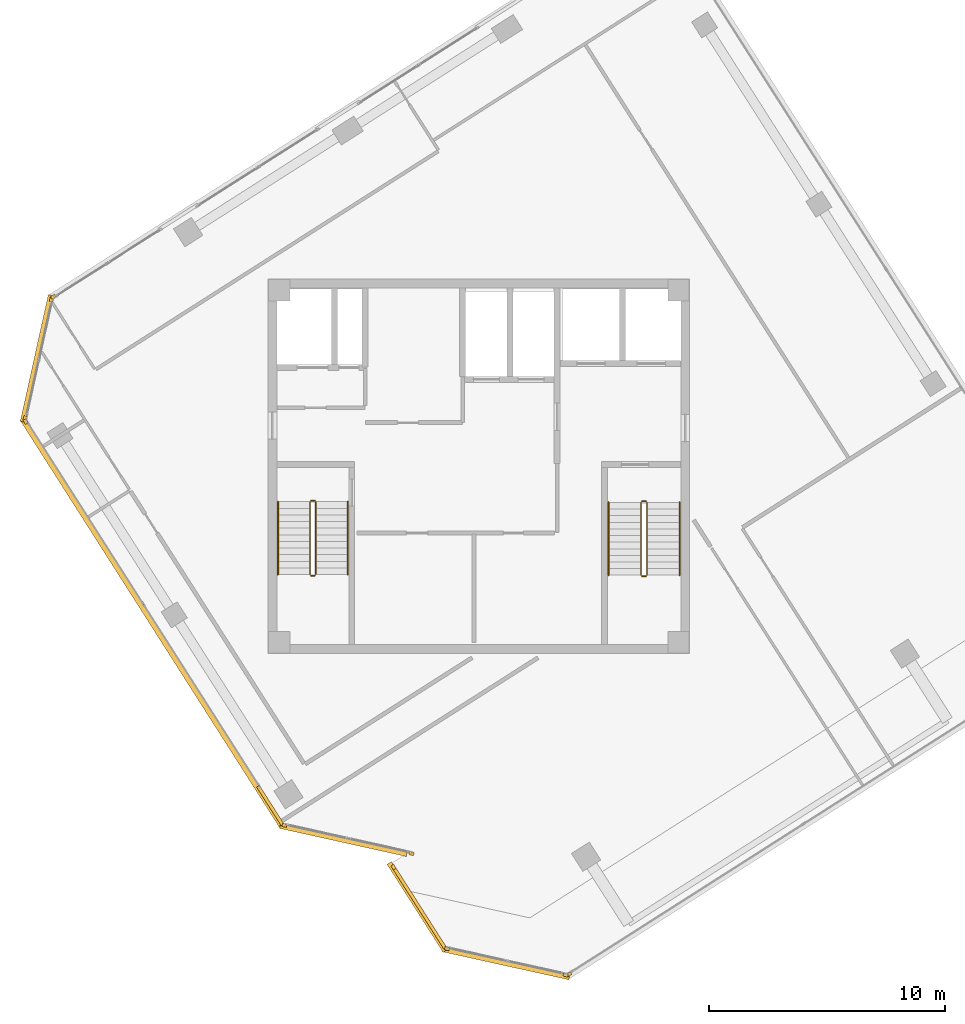
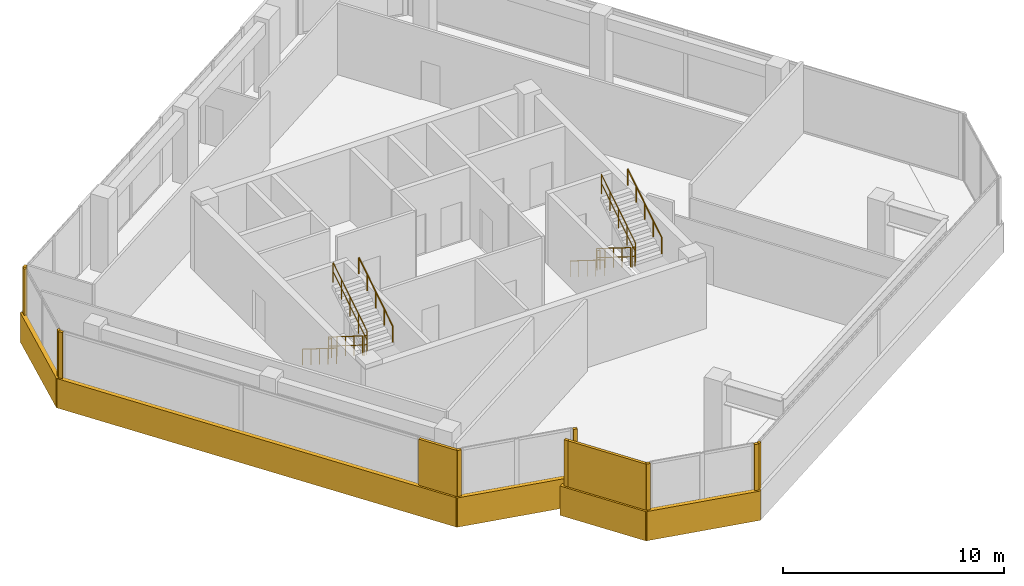
# One storey, part 13 of 15: 17 coverings, 12 railings.
"""IFC4 building model written with IfcOpenShell, lengths in metres."""

from ifc_helpers import new_model, si_unit, direction, frame, origin, origin_2d, place, context, subcontext, project, spatial, rectangle, circle, extrude, source, transform, mapped, material, layer, layer_set, type_object, element, save


model = new_model("IFC4")

# Units and contexts
model_context = context("Model", 3, precision=1e-05, world=origin(), true_north=direction((0.0, 1.0)))
body_context = subcontext(model_context, "Body", "Model", "MODEL_VIEW")
ifc_project = project(units=[si_unit("LENGTHUNIT", "METRE"), si_unit("AREAUNIT", "SQUARE_METRE"), si_unit("VOLUMEUNIT", "CUBIC_METRE"), si_unit("PLANEANGLEUNIT", "RADIAN"), si_unit("MASSUNIT", "GRAM", prefix="KILO")], contexts=[model_context])

# Site, building, storey
site_placement = place(None, origin())
site = spatial("IfcSite", under=ifc_project, at=site_placement, CompositionType="ELEMENT")
building_placement = place(site_placement, origin())
building = spatial("IfcBuilding", under=site, at=building_placement, Name="Torre Montelarca", CompositionType="ELEMENT")
storey_placement = place(building_placement, frame((0.0, 0.0, 311.39990234375)))
storey = spatial("IfcBuildingStorey", under=building, at=storey_placement, Name="L70", CompositionType="ELEMENT", Elevation=311.39990234375)

# Railings
ifc_material_1 = material(Name="Powder-coated steel ASTM A500 Grade C", Category="steel")
railing_type_1 = type_object("IfcRailingType", Name="RL-GUARD-1100", PredefinedType="BALUSTRADE", material=ifc_material_1)
railing_1_placement = place(storey_placement, frame((10.85009765625, 30.5, 0.175048828125)))
element("IfcRailing", 1, at=railing_1_placement, inside=storey, type_object=railing_type_1, Name="L70 ST1 stair guard 1", PredefinedType="BALUSTRADE", context=body_context, shape_type="SweptSolid", body=[
    extrude(circle(Radius=0.02392578125, at=origin_2d()), frame((0.0, 0.0, 1.076171875), z_axis=(0.0, -0.847998304005, 0.529998940003), x_axis=(1.0, 0.0, 0.0)), (0.0, 0.0, 1.0), 3.632080078125),
    extrude(circle(Radius=0.02099609375, at=origin_2d()), frame((0.0, 0.0, 0.572021484375), z_axis=(0.0, -0.847998304005, 0.529998940003), x_axis=(1.0, 0.0, 0.0)), (0.0, 0.0, 1.0), 3.632080078125),
    extrude(circle(Radius=0.02099609375, at=origin_2d()), origin(), (0.0, 0.0, 1.0), 1.052001953125),
    extrude(circle(Radius=0.02099609375, at=origin_2d()), frame((0.0, -0.77001953125, 0.481201171875)), (0.0, 0.0, 1.0), 1.052001953125),
    extrude(circle(Radius=0.02099609375, at=origin_2d()), frame((0.0, -1.5400390625, 0.96240234375)), (0.0, 0.0, 1.0), 1.052001953125),
    extrude(circle(Radius=0.02099609375, at=origin_2d()), frame((0.0, -2.31005859375, 1.44384765625)), (0.0, 0.0, 1.0), 1.052001953125),
    extrude(circle(Radius=0.02099609375, at=origin_2d()), frame((0.0, -3.080078125, 1.925048828125)), (0.0, 0.0, 1.0), 1.052001953125),
])
railing_2_placement = place(storey_placement, frame((10.89990234375, 27.3701171875, 2.10009765625)))
element("IfcRailing", 2, at=railing_2_placement, inside=storey, type_object=railing_type_1, Name="L70 ST1 stair guard 2", PredefinedType="BALUSTRADE", context=body_context, shape_type="SweptSolid", body=[
    extrude(circle(Radius=0.02392578125, at=origin_2d()), frame((0.0, 0.0, 1.076171875), z_axis=(1.0, 0.0, 0.0), x_axis=(0.0, 1.0, 0.0)), (0.0, 0.0, 1.0), 0.150146484375),
    extrude(circle(Radius=0.02099609375, at=origin_2d()), frame((0.0, 0.0, 0.572021484375), z_axis=(1.0, 0.0, 0.0), x_axis=(0.0, 1.0, 0.0)), (0.0, 0.0, 1.0), 0.150146484375),
    extrude(circle(Radius=0.02099609375, at=origin_2d()), origin(), (0.0, 0.0, 1.0), 1.052001953125),
    extrude(circle(Radius=0.02099609375, at=origin_2d()), frame((0.150146484375, 0.0, 0.0)), (0.0, 0.0, 1.0), 1.052001953125),
])
railing_3_placement = place(storey_placement, frame((11.10009765625, 27.419921875, 2.275146484375)))
element("IfcRailing", 3, at=railing_3_placement, inside=storey, type_object=railing_type_1, Name="L70 ST1 stair guard 3", PredefinedType="BALUSTRADE", context=body_context, shape_type="SweptSolid", body=[
    extrude(circle(Radius=0.02392578125, at=origin_2d()), frame((0.0, 0.0, 1.076171875), z_axis=(0.0, 0.847998304005, 0.529998940003), x_axis=(-1.0, 0.0, 0.0)), (0.0, 0.0, 1.0), 3.632080078125),
    extrude(circle(Radius=0.02099609375, at=origin_2d()), frame((0.0, 0.0, 0.572021484375), z_axis=(0.0, 0.847998304005, 0.529998940003), x_axis=(-1.0, 0.0, 0.0)), (0.0, 0.0, 1.0), 3.632080078125),
    extrude(circle(Radius=0.02099609375, at=origin_2d()), origin(), (0.0, 0.0, 1.0), 1.052001953125),
    extrude(circle(Radius=0.02099609375, at=origin_2d()), frame((0.0, 0.77001953125, 0.481201171875)), (0.0, 0.0, 1.0), 1.052001953125),
    extrude(circle(Radius=0.02099609375, at=origin_2d()), frame((0.0, 1.5400390625, 0.96240234375)), (0.0, 0.0, 1.0), 1.052001953125),
    extrude(circle(Radius=0.02099609375, at=origin_2d()), frame((0.0, 2.31005859375, 1.44384765625)), (0.0, 0.0, 1.0), 1.052001953125),
    extrude(circle(Radius=0.02099609375, at=origin_2d()), frame((0.0, 3.080078125, 1.925048828125)), (0.0, 0.0, 1.0), 1.052001953125),
])
railing_4_placement = place(storey_placement, frame((10.89990234375, 30.550048828125, 0.0)))
element("IfcRailing", 4, at=railing_4_placement, inside=storey, type_object=railing_type_1, Name="L70 ST1 stair guard 4", PredefinedType="BALUSTRADE", context=body_context, shape_type="SweptSolid", body=[
    extrude(circle(Radius=0.02392578125, at=origin_2d()), frame((0.0, 0.0, 1.076171875), z_axis=(1.0, 0.0, 0.0), x_axis=(0.0, 1.0, 0.0)), (0.0, 0.0, 1.0), 0.150146484375),
    extrude(circle(Radius=0.02099609375, at=origin_2d()), frame((0.0, 0.0, 0.572021484375), z_axis=(1.0, 0.0, 0.0), x_axis=(0.0, 1.0, 0.0)), (0.0, 0.0, 1.0), 0.150146484375),
    extrude(circle(Radius=0.02099609375, at=origin_2d()), origin(), (0.0, 0.0, 1.0), 1.052001953125),
    extrude(circle(Radius=0.02099609375, at=origin_2d()), frame((0.150146484375, 0.0, 0.0)), (0.0, 0.0, 1.0), 1.052001953125),
])
railing_5_placement = place(storey_placement, frame((24.8701171875, 30.469970703125, 0.175048828125)))
element("IfcRailing", 5, at=railing_5_placement, inside=storey, type_object=railing_type_1, Name="L70 ST2 stair guard 1", PredefinedType="BALUSTRADE", context=body_context, shape_type="SweptSolid", body=[
    extrude(circle(Radius=0.02392578125, at=origin_2d()), frame((0.0, 0.0, 1.076171875), z_axis=(0.0, -0.847998304005, 0.529998940003), x_axis=(1.0, 0.0, 0.0)), (0.0, 0.0, 1.0), 3.632080078125),
    extrude(circle(Radius=0.02099609375, at=origin_2d()), frame((0.0, 0.0, 0.572021484375), z_axis=(0.0, -0.847998304005, 0.529998940003), x_axis=(1.0, 0.0, 0.0)), (0.0, 0.0, 1.0), 3.632080078125),
    extrude(circle(Radius=0.02099609375, at=origin_2d()), origin(), (0.0, 0.0, 1.0), 1.052001953125),
    extrude(circle(Radius=0.02099609375, at=origin_2d()), frame((0.0, -0.77001953125, 0.481201171875)), (0.0, 0.0, 1.0), 1.052001953125),
    extrude(circle(Radius=0.02099609375, at=origin_2d()), frame((0.0, -1.5400390625, 0.96240234375)), (0.0, 0.0, 1.0), 1.052001953125),
    extrude(circle(Radius=0.02099609375, at=origin_2d()), frame((0.0, -2.31005859375, 1.44384765625)), (0.0, 0.0, 1.0), 1.052001953125),
    extrude(circle(Radius=0.02099609375, at=origin_2d()), frame((0.0, -3.080078125, 1.925048828125)), (0.0, 0.0, 1.0), 1.052001953125),
])
railing_6_placement = place(storey_placement, frame((24.919921875, 27.340087890625, 2.10009765625)))
element("IfcRailing", 6, at=railing_6_placement, inside=storey, type_object=railing_type_1, Name="L70 ST2 stair guard 2", PredefinedType="BALUSTRADE", context=body_context, shape_type="SweptSolid", body=[
    extrude(circle(Radius=0.02392578125, at=origin_2d()), frame((0.0, 0.0, 1.076171875), z_axis=(1.0, 0.0, 0.0), x_axis=(0.0, 1.0, 0.0)), (0.0, 0.0, 1.0), 0.150146484375),
    extrude(circle(Radius=0.02099609375, at=origin_2d()), frame((0.0, 0.0, 0.572021484375), z_axis=(1.0, 0.0, 0.0), x_axis=(0.0, 1.0, 0.0)), (0.0, 0.0, 1.0), 0.150146484375),
    extrude(circle(Radius=0.02099609375, at=origin_2d()), origin(), (0.0, 0.0, 1.0), 1.052001953125),
    extrude(circle(Radius=0.02099609375, at=origin_2d()), frame((0.150146484375, 0.0, 0.0)), (0.0, 0.0, 1.0), 1.052001953125),
])
railing_7_placement = place(storey_placement, frame((25.1201171875, 27.389892578125, 2.275146484375)))
element("IfcRailing", 7, at=railing_7_placement, inside=storey, type_object=railing_type_1, Name="L70 ST2 stair guard 3", PredefinedType="BALUSTRADE", context=body_context, shape_type="SweptSolid", body=[
    extrude(circle(Radius=0.02392578125, at=origin_2d()), frame((0.0, 0.0, 1.076171875), z_axis=(0.0, 0.847998304005, 0.529998940003), x_axis=(-1.0, 0.0, 0.0)), (0.0, 0.0, 1.0), 3.632080078125),
    extrude(circle(Radius=0.02099609375, at=origin_2d()), frame((0.0, 0.0, 0.572021484375), z_axis=(0.0, 0.847998304005, 0.529998940003), x_axis=(-1.0, 0.0, 0.0)), (0.0, 0.0, 1.0), 3.632080078125),
    extrude(circle(Radius=0.02099609375, at=origin_2d()), origin(), (0.0, 0.0, 1.0), 1.052001953125),
    extrude(circle(Radius=0.02099609375, at=origin_2d()), frame((0.0, 0.77001953125, 0.481201171875)), (0.0, 0.0, 1.0), 1.052001953125),
    extrude(circle(Radius=0.02099609375, at=origin_2d()), frame((0.0, 1.5400390625, 0.96240234375)), (0.0, 0.0, 1.0), 1.052001953125),
    extrude(circle(Radius=0.02099609375, at=origin_2d()), frame((0.0, 2.31005859375, 1.44384765625)), (0.0, 0.0, 1.0), 1.052001953125),
    extrude(circle(Radius=0.02099609375, at=origin_2d()), frame((0.0, 3.080078125, 1.925048828125)), (0.0, 0.0, 1.0), 1.052001953125),
])
railing_8_placement = place(storey_placement, frame((24.919921875, 30.52001953125, 0.0)))
element("IfcRailing", 8, at=railing_8_placement, inside=storey, type_object=railing_type_1, Name="L70 ST2 stair guard 4", PredefinedType="BALUSTRADE", context=body_context, shape_type="SweptSolid", body=[
    extrude(circle(Radius=0.02392578125, at=origin_2d()), frame((0.0, 0.0, 1.076171875), z_axis=(1.0, 0.0, 0.0), x_axis=(0.0, 1.0, 0.0)), (0.0, 0.0, 1.0), 0.150146484375),
    extrude(circle(Radius=0.02099609375, at=origin_2d()), frame((0.0, 0.0, 0.572021484375), z_axis=(1.0, 0.0, 0.0), x_axis=(0.0, 1.0, 0.0)), (0.0, 0.0, 1.0), 0.150146484375),
    extrude(circle(Radius=0.02099609375, at=origin_2d()), origin(), (0.0, 0.0, 1.0), 1.052001953125),
    extrude(circle(Radius=0.02099609375, at=origin_2d()), frame((0.150146484375, 0.0, 0.0)), (0.0, 0.0, 1.0), 1.052001953125),
])
ifc_material_2 = material(Name="Brushed stainless steel AISI 316", Category="steel")
railing_type_2 = type_object("IfcRailingType", Name="RL-HANDRAIL-900", PredefinedType="HANDRAIL", material=ifc_material_2)
railing_9_placement = place(storey_placement, frame((9.5, 30.5, 0.175048828125)))
element("IfcRailing", 9, at=railing_9_placement, inside=storey, type_object=railing_type_2, Name="L70 ST1 stair handrail 1", PredefinedType="HANDRAIL", context=body_context, shape_type="SweptSolid", body=[
    extrude(circle(Radius=0.02392578125, at=origin_2d()), frame((0.0, 0.0, 0.8759765625), z_axis=(0.0, -0.847998304005, 0.529998940003), x_axis=(1.0, 0.0, 0.0)), (0.0, 0.0, 1.0), 3.632080078125),
    extrude(circle(Radius=0.02099609375, at=origin_2d()), origin(), (0.0, 0.0, 1.0), 0.851806640625),
    extrude(circle(Radius=0.02099609375, at=origin_2d()), frame((0.0, -0.77001953125, 0.481201171875)), (0.0, 0.0, 1.0), 0.851806640625),
    extrude(circle(Radius=0.02099609375, at=origin_2d()), frame((0.0, -1.5400390625, 0.96240234375)), (0.0, 0.0, 1.0), 0.851806640625),
    extrude(circle(Radius=0.02099609375, at=origin_2d()), frame((0.0, -2.31005859375, 1.44384765625)), (0.0, 0.0, 1.0), 0.851806640625),
    extrude(circle(Radius=0.02099609375, at=origin_2d()), frame((0.0, -3.080078125, 1.925048828125)), (0.0, 0.0, 1.0), 0.851806640625),
])
railing_10_placement = place(storey_placement, frame((12.449951171875, 27.419921875, 2.275146484375)))
element("IfcRailing", 10, at=railing_10_placement, inside=storey, type_object=railing_type_2, Name="L70 ST1 stair handrail 2", PredefinedType="HANDRAIL", context=body_context, shape_type="SweptSolid", body=[
    extrude(circle(Radius=0.02392578125, at=origin_2d()), frame((0.0, 0.0, 0.8759765625), z_axis=(0.0, 0.847998304005, 0.529998940003), x_axis=(-1.0, 0.0, 0.0)), (0.0, 0.0, 1.0), 3.632080078125),
    extrude(circle(Radius=0.02099609375, at=origin_2d()), origin(), (0.0, 0.0, 1.0), 0.851806640625),
    extrude(circle(Radius=0.02099609375, at=origin_2d()), frame((0.0, 0.77001953125, 0.481201171875)), (0.0, 0.0, 1.0), 0.851806640625),
    extrude(circle(Radius=0.02099609375, at=origin_2d()), frame((0.0, 1.5400390625, 0.96240234375)), (0.0, 0.0, 1.0), 0.851806640625),
    extrude(circle(Radius=0.02099609375, at=origin_2d()), frame((0.0, 2.31005859375, 1.44384765625)), (0.0, 0.0, 1.0), 0.851806640625),
    extrude(circle(Radius=0.02099609375, at=origin_2d()), frame((0.0, 3.080078125, 1.925048828125)), (0.0, 0.0, 1.0), 0.851806640625),
])
railing_11_placement = place(storey_placement, frame((23.489990234375, 30.469970703125, 0.175048828125)))
element("IfcRailing", 11, at=railing_11_placement, inside=storey, type_object=railing_type_2, Name="L70 ST2 stair handrail 1", PredefinedType="HANDRAIL", context=body_context, shape_type="SweptSolid", body=[
    extrude(circle(Radius=0.02392578125, at=origin_2d()), frame((0.0, 0.0, 0.8759765625), z_axis=(0.0, -0.847998304005, 0.529998940003), x_axis=(1.0, 0.0, 0.0)), (0.0, 0.0, 1.0), 3.632080078125),
    extrude(circle(Radius=0.02099609375, at=origin_2d()), origin(), (0.0, 0.0, 1.0), 0.851806640625),
    extrude(circle(Radius=0.02099609375, at=origin_2d()), frame((0.0, -0.77001953125, 0.481201171875)), (0.0, 0.0, 1.0), 0.851806640625),
    extrude(circle(Radius=0.02099609375, at=origin_2d()), frame((0.0, -1.5400390625, 0.96240234375)), (0.0, 0.0, 1.0), 0.851806640625),
    extrude(circle(Radius=0.02099609375, at=origin_2d()), frame((0.0, -2.31005859375, 1.44384765625)), (0.0, 0.0, 1.0), 0.851806640625),
    extrude(circle(Radius=0.02099609375, at=origin_2d()), frame((0.0, -3.080078125, 1.925048828125)), (0.0, 0.0, 1.0), 0.851806640625),
])
railing_12_placement = place(storey_placement, frame((26.5, 27.389892578125, 2.275146484375)))
element("IfcRailing", 12, at=railing_12_placement, inside=storey, type_object=railing_type_2, Name="L70 ST2 stair handrail 2", PredefinedType="HANDRAIL", context=body_context, shape_type="SweptSolid", body=[
    extrude(circle(Radius=0.02392578125, at=origin_2d()), frame((0.0, 0.0, 0.8759765625), z_axis=(0.0, 0.847998304005, 0.529998940003), x_axis=(-1.0, 0.0, 0.0)), (0.0, 0.0, 1.0), 3.632080078125),
    extrude(circle(Radius=0.02099609375, at=origin_2d()), origin(), (0.0, 0.0, 1.0), 0.851806640625),
    extrude(circle(Radius=0.02099609375, at=origin_2d()), frame((0.0, 0.77001953125, 0.481201171875)), (0.0, 0.0, 1.0), 0.851806640625),
    extrude(circle(Radius=0.02099609375, at=origin_2d()), frame((0.0, 1.5400390625, 0.96240234375)), (0.0, 0.0, 1.0), 0.851806640625),
    extrude(circle(Radius=0.02099609375, at=origin_2d()), frame((0.0, 2.31005859375, 1.44384765625)), (0.0, 0.0, 1.0), 0.851806640625),
    extrude(circle(Radius=0.02099609375, at=origin_2d()), frame((0.0, 3.080078125, 1.925048828125)), (0.0, 0.0, 1.0), 0.851806640625),
])

# Coverings
ifc_material_3 = material(Name="Bush-hammered warm white precast concrete C45/55", Category="concrete")
ifc_layer = layer(ifc_material_3, 0.139892578125, Name="Bush-hammered warm white precast concrete C45/55", Category="concrete")
ifc_layer_set = layer_set([ifc_layer], Name="Bush-hammered warm white precast concrete C45/55")
covering_type = type_object("IfcCoveringType", Name="COV-TRAY-CLAD", PredefinedType="CLADDING", material=ifc_layer_set)
shared_shape_1 = source(origin(), body_context, "Body", "SweptSolid", [
    extrude(rectangle(XDim=0.199951171875, YDim=0.139892578125, at=origin_2d()), origin(), (0.0, 0.0, 1.0), 3.719970703125),
])
for number, where, z_axis, x_axis, name in (
    (13, (-1.18017578125, 33.89501953125, 0.0), (0.0, 0.0, 1.0), (0.537301080342, -0.843390508047, 0.0), "L70 Architectural Column Pier Cladding E01-1"),
    (14, (9.775390625, 16.802001953125, 0.0), (0.0, 0.0, 1.0), (0.976296762631, -0.216436206021, 0.0), "L70 Architectural Column Pier Cladding E02-1"),
    (15, (15.154541015625, 15.609375, 0.0), (0.0, 0.0, 1.0), (0.976296762631, -0.216436206021, 0.0), "L70 Architectural Column Pier Cladding E02-2"),
    (16, (14.3935546875, 15.032470703125, 0.0), (0.0, 0.0, 1.0), (0.537312856242, -0.843383005826, 0.0), "L70 Architectural Column Pier Cladding E04-1"),
    (17, (16.65771484375, 11.582275390625, 0.0), (0.0, 0.0, 1.0), (0.976299029092, -0.216425982253, 0.0), "L70 Architectural Column Pier Cladding E05-1"),
    (18, (21.677978515625, 10.469482421875, 0.0), (0.0, 0.0, 1.0), (0.976299029092, -0.216425982253, 0.0), "L70 Architectural Column Pier Cladding E05-2"),
    (19, (21.821044921875, 10.494384765625, 0.0), (0.0, 0.0, 1.0), (0.843390508047, 0.537301080342, 0.0), "L70 Architectural Column Pier Cladding E06-1"),
    (20, (-0.0087890625, 39.17724609375, 0.0), (0.0, 0.0, 1.0), (-0.843390508047, -0.537301080342, 0.0), "L70 Architectural Column Pier Cladding E10-5"),
    (21, (-0.09228515625, 39.058349609375, 0.0), (0.0, 0.0, 1.0), (-0.21644813372, -0.976294118291, 0.0), "L70 Architectural Column Pier Cladding E11-1"),
    (22, (-1.205078125, 34.037841796875, 0.0), (0.0, 0.0, 1.0), (-0.21644813372, -0.976294118291, 0.0), "L70 Architectural Column Pier Cladding E11-2"),
):
    element("IfcCovering", number, at=place(storey_placement, frame(where, z_axis=z_axis, x_axis=x_axis)), inside=storey, type_object=covering_type, Name=name, PredefinedType="CLADDING", context=body_context, shape_type="MappedRepresentation", body=[
        mapped(shared_shape_1, transform((0.0, 0.0, 0.0), scale=1.0)),
    ])
shared_shape_2 = source(origin(), body_context, "Body", "SweptSolid", [
    extrude(rectangle(XDim=5.493896484375, YDim=0.219970703125, at=origin_2d()), origin(), (0.0, 0.0, 1.0), 1.6201171875),
])
for number, where, z_axis, x_axis, name in (
    (23, (12.2724609375, 16.186767578125, -0.449951171875), (0.0, 0.0, 1.0), (0.97629751813, -0.216432798101, 0.0), "L70 Architectural White Spandrel Tray Band TRYBOT-02"),
    (24, (-0.707275390625, 36.56103515625, -0.449951171875), (0.0, 0.0, 1.0), (-0.216449837674, -0.976293740516, 0.0), "L70 Architectural White Spandrel Tray Band TRYBOT-11"),
):
    element("IfcCovering", number, at=place(storey_placement, frame(where, z_axis=z_axis, x_axis=x_axis)), inside=storey, type_object=covering_type, Name=name, PredefinedType="CLADDING", context=body_context, shape_type="MappedRepresentation", body=[
        mapped(shared_shape_2, transform((0.0, 0.0, 0.0), scale=1.0)),
    ])
shared_shape_3 = source(origin(), body_context, "Body", "SweptSolid", [
    extrude(rectangle(XDim=4.09228515625, YDim=0.139892578125, at=origin_2d()), origin(), (0.0, 0.0, 1.0), 3.719970703125),
])
covering_1_placement = place(storey_placement, frame((15.492919921875, 13.306884765625, 0.0), z_axis=(0.0, 0.0, 1.0), x_axis=(0.537312856242, -0.843383005826, 0.0)))
element("IfcCovering", 25, at=covering_1_placement, inside=storey, type_object=covering_type, Name="L70 Architectural Column Pier Cladding E04-2", PredefinedType="CLADDING", context=body_context, shape_type="MappedRepresentation", body=[
    mapped(shared_shape_3, transform((0.0, 0.0, 0.0), scale=1.0)),
])
shared_shape_4 = source(origin(), body_context, "Body", "SweptSolid", [
    extrude(rectangle(XDim=20.52001953125, YDim=0.219970703125, at=origin_2d()), origin(), (0.0, 0.0, 1.0), 1.6201171875),
])
covering_2_placement = place(storey_placement, frame((4.1875, 25.35791015625, -0.449951171875), z_axis=(0.0, 0.0, 1.0), x_axis=(0.53729813635, -0.843392383576, 0.0)))
element("IfcCovering", 26, at=covering_2_placement, inside=storey, type_object=covering_type, Name="L70 Architectural White Spandrel Tray Band TRYBOT-01", PredefinedType="CLADDING", context=body_context, shape_type="MappedRepresentation", body=[
    mapped(shared_shape_4, transform((0.0, 0.0, 0.0), scale=1.0)),
])
shared_shape_5 = source(origin(), body_context, "Body", "SweptSolid", [
    extrude(rectangle(XDim=4.419921875, YDim=0.219970703125, at=origin_2d()), origin(), (0.0, 0.0, 1.0), 1.6201171875),
])
covering_3_placement = place(storey_placement, frame((15.39501953125, 13.348876953125, -0.449951171875), z_axis=(0.0, 0.0, 1.0), x_axis=(0.537299608347, -0.843391445813, 0.0)))
element("IfcCovering", 27, at=covering_3_placement, inside=storey, type_object=covering_type, Name="L70 Architectural White Spandrel Tray Band TRYBOT-04", PredefinedType="CLADDING", context=body_context, shape_type="MappedRepresentation", body=[
    mapped(shared_shape_5, transform((0.0, 0.0, 0.0), scale=1.0)),
])
shared_shape_6 = source(origin(), body_context, "Body", "SweptSolid", [
    extrude(rectangle(XDim=5.494140625, YDim=0.219970703125, at=origin_2d()), origin(), (0.0, 0.0, 1.0), 1.6201171875),
])
covering_4_placement = place(storey_placement, frame((19.15478515625, 10.96728515625, -0.449951171875), z_axis=(0.0, 0.0, 1.0), x_axis=(0.976298651356, -0.216427686216, 0.0)))
element("IfcCovering", 28, at=covering_4_placement, inside=storey, type_object=covering_type, Name="L70 Architectural White Spandrel Tray Band TRYBOT-05", PredefinedType="CLADDING", context=body_context, shape_type="MappedRepresentation", body=[
    mapped(shared_shape_6, transform((0.0, 0.0, 0.0), scale=1.0)),
])
shared_shape_7 = source(origin(), body_context, "Body", "SweptSolid", [
    extrude(rectangle(XDim=1.964111328125, YDim=0.139892578125, at=origin_2d()), origin(), (0.0, 0.0, 1.0), 3.719970703125),
])
covering_5_placement = place(storey_placement, frame((9.1826171875, 17.629150390625, 0.0), z_axis=(0.0, 0.0, 1.0), x_axis=(0.537301080342, -0.843390508047, 0.0)))
element("IfcCovering", 29, at=covering_5_placement, inside=storey, type_object=covering_type, Name="L70 Architectural Column Pier Cladding E01-2", PredefinedType="CLADDING", context=body_context, shape_type="MappedRepresentation", body=[
    mapped(shared_shape_7, transform((0.0, 0.0, 0.0), scale=1.0)),
])

save(model, "model.ifc")
